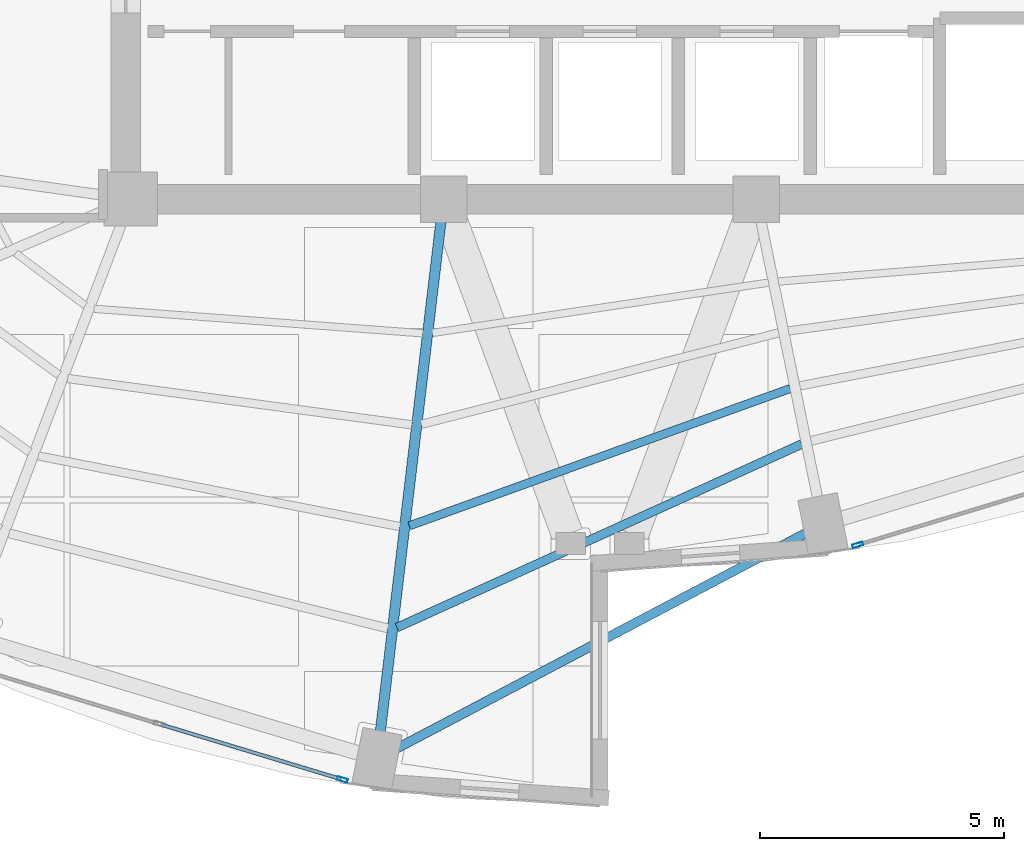
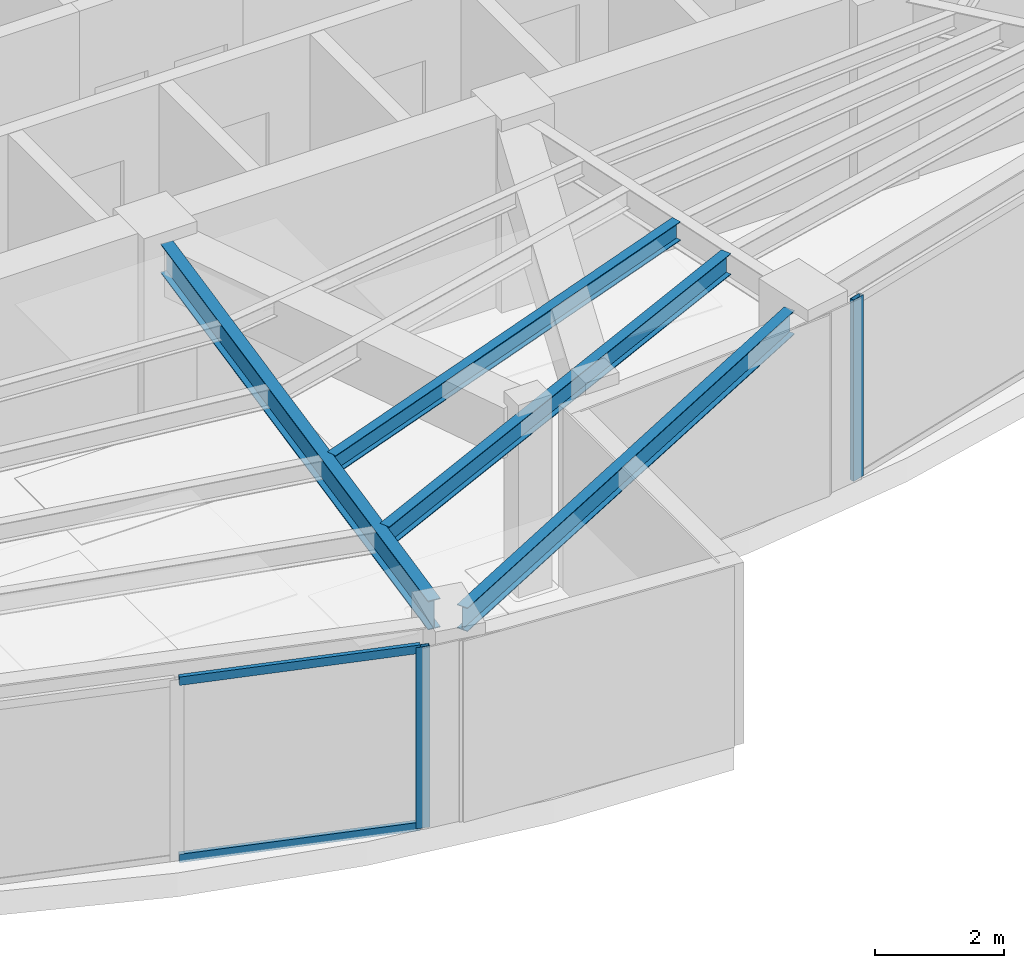
# One storey, part 4 of 20: 4 beams, 4 members, 2 elements without a shape of their own.
"""IFC4 building model written with IfcOpenShell, lengths in metres."""

from ifc_helpers import new_model, si_unit, direction, frame, origin, origin_2d, place, context, subcontext, project, spatial, hollow_rectangle, i_section, extrude, material, layer, layer_set, material_profile, profile_set, type_object, element, aggregate, save


model = new_model("IFC4")

# Units and contexts
model_context = context("Model", 3, precision=1e-05, world=origin(), true_north=direction((0.0, 1.0)))
body_context = subcontext(model_context, "Body", "Model", "MODEL_VIEW")
ifc_project = project(units=[si_unit("LENGTHUNIT", "METRE"), si_unit("AREAUNIT", "SQUARE_METRE"), si_unit("VOLUMEUNIT", "CUBIC_METRE"), si_unit("PLANEANGLEUNIT", "RADIAN"), si_unit("MASSUNIT", "GRAM", prefix="KILO")], contexts=[model_context])

# Site, building, storey
site_placement = place(None, origin())
site = spatial("IfcSite", under=ifc_project, at=site_placement, CompositionType="ELEMENT")
building_placement = place(site_placement, origin())
building = spatial("IfcBuilding", under=site, at=building_placement, Name="Lazwardi Medical Tower", CompositionType="ELEMENT")
storey_placement = place(building_placement, frame((0.0, 0.0, 138.2880859375)))
storey = spatial("IfcBuildingStorey", under=building, at=storey_placement, Name="L35", CompositionType="ELEMENT", Elevation=138.2880859375)

# Beams
ifc_material_1 = material(Name="Steel S355", Category="steel")
ifc_material_profile_1 = material_profile(ifc_material_1, i_section(OverallWidth=0.2099609375, OverallDepth=0.550048828125, WebThickness=0.010986328125, FlangeThickness=0.01708984375, at=origin_2d()), Name="IPE 550")
ifc_profile_set_1 = profile_set([ifc_material_profile_1], Name="Steel S355")
beam_type_1 = type_object("IfcBeamType", Name="BM-RG-W2", PredefinedType="BEAM", material=ifc_profile_set_1)
beam_1_placement = place(storey_placement, frame((31.505859375, 9.50732421875, 3.15283203125), z_axis=(0.117968004211, 0.993017396616, 0.0), x_axis=(-0.993017396616, 0.117968004211, 0.0)))
element("IfcBeam", 1, at=beam_1_placement, inside=storey, type_object=beam_type_1, Name="Radial girder RG-03 R16 L35", PredefinedType="BEAM", context=body_context, shape_type="SweptSolid", body=[
    extrude(i_section(OverallWidth=0.2099609375, OverallDepth=0.550048828125, WebThickness=0.010986328125, FlangeThickness=0.01708984375, at=origin_2d()), origin(), (0.0, 0.0, 1.0), 10.50927734375),
])
ifc_material_profile_2 = material_profile(ifc_material_1, i_section(OverallWidth=0.179931640625, OverallDepth=0.39990234375, WebThickness=0.008544921875, FlangeThickness=0.013427734375, at=origin_2d()), Name="IPE 400")
ifc_profile_set_2 = profile_set([ifc_material_profile_2], Name="Steel S355")
beam_type_2 = type_object("IfcBeamType", Name="BM-SJ-01", PredefinedType="JOIST", material=ifc_profile_set_2)
beam_2_placement = place(storey_placement, frame((31.844970703125, 11.6357421875, 3.22802734375), z_axis=(0.910834000674, 0.412772846995, 0.0), x_axis=(-0.412772846995, 0.910834000674, 0.0)))
element("IfcBeam", 2, at=beam_2_placement, inside=storey, type_object=beam_type_2, Name="Secondary joist SJ-01 R1 B16 L35", PredefinedType="JOIST", context=body_context, shape_type="SweptSolid", body=[
    extrude(i_section(OverallWidth=0.179931640625, OverallDepth=0.39990234375, WebThickness=0.008544921875, FlangeThickness=0.013427734375, at=origin_2d()), origin(), (0.0, 0.0, 1.0), 9.09130859375),
])
ifc_material_profile_3 = material_profile(ifc_material_1, i_section(OverallWidth=0.169921875, OverallDepth=0.360107421875, WebThickness=0.008056640625, FlangeThickness=0.0126953125, at=origin_2d()), Name="IPE 360")
ifc_profile_set_3 = profile_set([ifc_material_profile_3], Name="Steel S355")
beam_type_3 = type_object("IfcBeamType", Name="BM-SJ-02", PredefinedType="JOIST", material=ifc_profile_set_3)
beam_3_placement = place(storey_placement, frame((32.095947265625, 13.715576171875, 3.247802734375), z_axis=(0.940747993319, 0.339106492221, 0.0), x_axis=(-0.339106492221, 0.940747993319, 0.0)))
element("IfcBeam", 3, at=beam_3_placement, inside=storey, type_object=beam_type_3, Name="Secondary joist SJ-02 R2 B16 L35", PredefinedType="JOIST", context=body_context, shape_type="SweptSolid", body=[
    extrude(i_section(OverallWidth=0.169921875, OverallDepth=0.360107421875, WebThickness=0.008056640625, FlangeThickness=0.0126953125, at=origin_2d()), origin(), (0.0, 0.0, 1.0), 8.28662109375),
])
ifc_material_profile_4 = material_profile(ifc_material_1, i_section(OverallWidth=0.18994140625, OverallDepth=0.449951171875, WebThickness=0.009521484375, FlangeThickness=0.0146484375, at=origin_2d()), Name="IPE 450")
ifc_profile_set_4 = profile_set([ifc_material_profile_4], Name="Steel S355")
beam_type_4 = type_object("IfcBeamType", Name="BM-SP-01", PredefinedType="SPANDREL", material=ifc_profile_set_4)
beam_4_placement = place(storey_placement, frame((31.793701171875, 9.137451171875, 3.202880859375), z_axis=(0.884926578414, 0.465730556026, 0.0), x_axis=(-0.465730556026, 0.884926578414, 0.0)))
element("IfcBeam", 4, at=beam_4_placement, inside=storey, type_object=beam_type_4, Name="Spandrel beam SP-01 B16 L35", PredefinedType="SPANDREL", context=body_context, shape_type="SweptSolid", body=[
    extrude(i_section(OverallWidth=0.18994140625, OverallDepth=0.449951171875, WebThickness=0.009521484375, FlangeThickness=0.0146484375, at=origin_2d()), origin(), (0.0, 0.0, 1.0), 9.506591796875),
])

# Curtain wall, member
ifc_material_2 = material(Name="Anodised bronze aluminium and solar control glazing", Category="aluminium")
ifc_layer = layer(ifc_material_2, 0.195068359375)
ifc_layer_set = layer_set([ifc_layer], Name="Anodised bronze aluminium and solar control glazing")
curtain_wall_type = type_object("IfcCurtainWallType", Name="CW-SYS-03", PredefinedType="NOTDEFINED", material=ifc_layer_set)
curtain_wall_1_placement = place(storey_placement, origin())
curtain_wall_1 = element("IfcCurtainWall", 5, at=curtain_wall_1_placement, inside=storey, type_object=curtain_wall_type, Name="L35 Unitised bronze curtain wall CW-03", PredefinedType="NOTDEFINED")
ifc_material_3 = material(Name="Anodised bronze aluminium", Category="aluminium")
ifc_material_profile_5 = material_profile(ifc_material_3, hollow_rectangle(XDim=0.074951171875, YDim=0.219970703125, WallThickness=0.00390625, at=origin_2d()), Name="ALU-MULLION 220x75x4")
ifc_profile_set_5 = profile_set([ifc_material_profile_5], Name="Anodised bronze aluminium")
member_type_1 = type_object("IfcMemberType", Name="CW-MUL-01", PredefinedType="MULLION", material=ifc_profile_set_5)
member_1_placement = place(storey_placement, frame((41.27197265625, 13.325927734375, 0.0), z_axis=(0.0, 0.0, 1.0), x_axis=(-0.290280785441, 0.956941516292, 0.0)))
member_1 = element("IfcMember", 6, at=member_1_placement, type_object=member_type_1, Name="CW-03 mullion 1", PredefinedType="MULLION", context=body_context, shape_type="SweptSolid", body=[
    extrude(hollow_rectangle(XDim=0.074951171875, YDim=0.219970703125, WallThickness=0.00390625, at=origin_2d()), origin(), (0.0, 0.0, 1.0), 3.427978515625),
])
aggregate(curtain_wall_1, [member_1])

# Curtain wall, members
curtain_wall_2_placement = place(storey_placement, origin())
curtain_wall_2 = element("IfcCurtainWall", 7, at=curtain_wall_2_placement, inside=storey, type_object=curtain_wall_type, Name="L35 Unitised bronze curtain wall CW-03", PredefinedType="NOTDEFINED")
member_2_placement = place(storey_placement, frame((30.72802734375, 8.52587890625, 0.0), z_axis=(0.0, 0.0, 1.0), x_axis=(0.290280785441, 0.956941516292, 0.0)))
member_2 = element("IfcMember", 8, at=member_2_placement, type_object=member_type_1, Name="CW-03 mullion 3", PredefinedType="MULLION", context=body_context, shape_type="SweptSolid", body=[
    extrude(hollow_rectangle(XDim=0.074951171875, YDim=0.219970703125, WallThickness=0.00390625, at=origin_2d()), origin(), (0.0, 0.0, 1.0), 3.427978515625),
])
ifc_material_profile_6 = material_profile(ifc_material_3, hollow_rectangle(XDim=0.074951171875, YDim=0.159912109375, WallThickness=0.00390625, at=origin_2d()), Name="ALU-TRANSOM 160x75x4")
ifc_profile_set_6 = profile_set([ifc_material_profile_6], Name="Anodised bronze aluminium")
member_type_2 = type_object("IfcMemberType", Name="CW-TRN-01", PredefinedType="USERDEFINED", material=ifc_profile_set_6)
member_3_placement = place(storey_placement, frame((27.020751953125, 9.650390625, 0.037353515625), z_axis=(0.95695319357, -0.290242287264, 0.0), x_axis=(0.290242287264, 0.95695319357, 0.0)))
member_3 = element("IfcMember", 9, at=member_3_placement, type_object=member_type_2, Name="CW-03 transom 2.1", ObjectType="TRANSOM", PredefinedType="USERDEFINED", context=body_context, shape_type="SweptSolid", body=[
    extrude(hollow_rectangle(XDim=0.074951171875, YDim=0.159912109375, WallThickness=0.00390625, at=origin_2d()), origin(), (0.0, 0.0, 1.0), 3.83642578125),
])
member_4_placement = place(storey_placement, frame((27.020751953125, 9.650390625, 3.390380859375), z_axis=(0.95695319357, -0.290242287264, 0.0), x_axis=(0.290242287264, 0.95695319357, 0.0)))
member_4 = element("IfcMember", 10, at=member_4_placement, type_object=member_type_2, Name="CW-03 transom 2.2", ObjectType="TRANSOM", PredefinedType="USERDEFINED", context=body_context, shape_type="SweptSolid", body=[
    extrude(hollow_rectangle(XDim=0.074951171875, YDim=0.159912109375, WallThickness=0.00390625, at=origin_2d()), origin(), (0.0, 0.0, 1.0), 3.83642578125),
])
aggregate(curtain_wall_2, [member_2, member_3, member_4])

save(model, "model.ifc")
